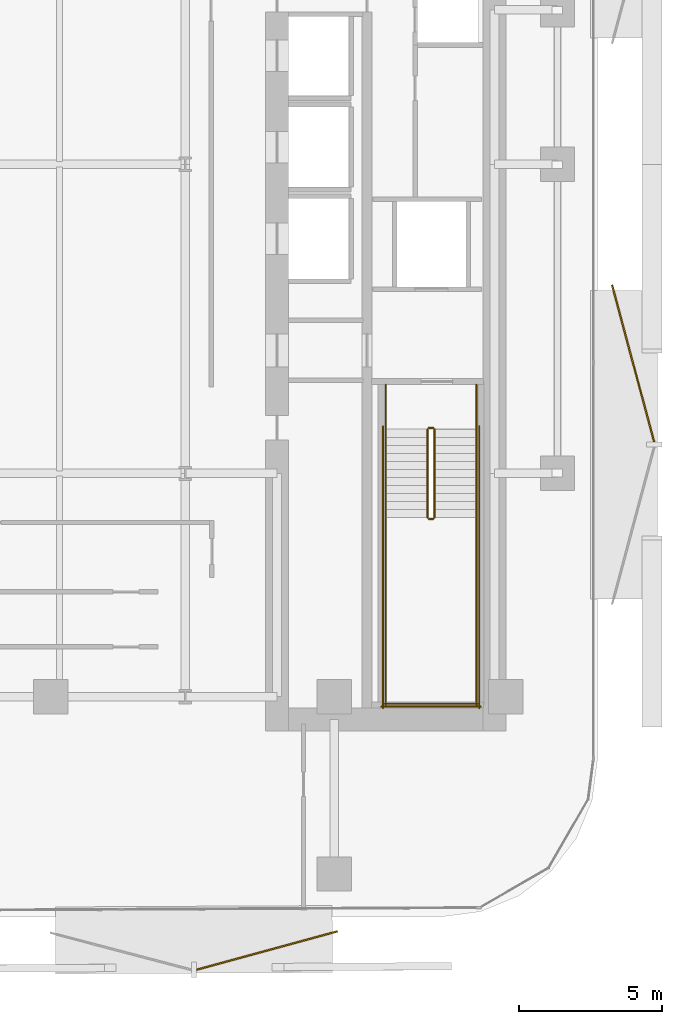
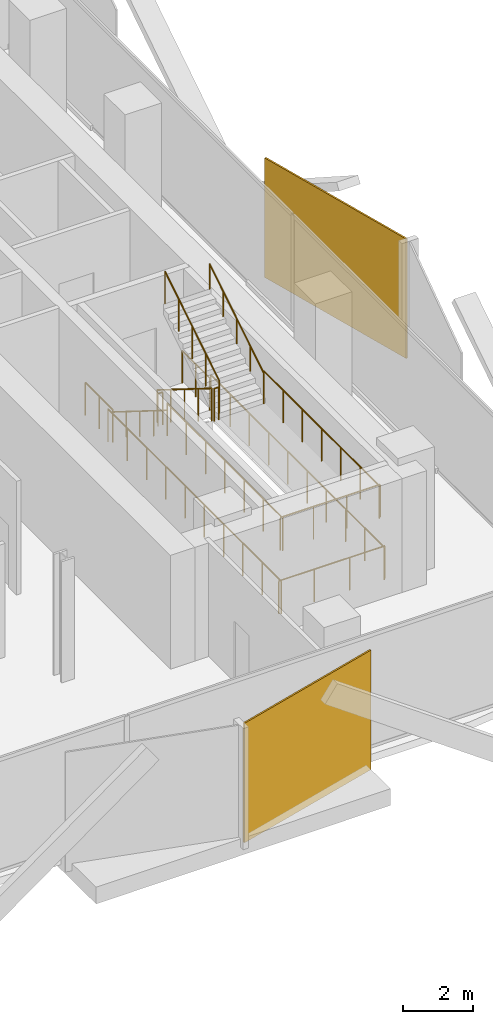
# One storey, part 13 of 15: 14 railings, 2 coverings.
"""IFC4 building model written with IfcOpenShell, lengths in metres."""

from ifc_helpers import new_model, si_unit, direction, frame, origin, origin_2d, place, context, subcontext, project, spatial, rectangle, circle, extrude, material, layer, layer_set, type_object, element, save


model = new_model("IFC4")

# Units and contexts
model_context = context("Model", 3, precision=1e-05, world=origin(), true_north=direction((0.0, 1.0)))
body_context = subcontext(model_context, "Body", "Model", "MODEL_VIEW")
ifc_project = project(units=[si_unit("LENGTHUNIT", "METRE"), si_unit("AREAUNIT", "SQUARE_METRE"), si_unit("VOLUMEUNIT", "CUBIC_METRE"), si_unit("PLANEANGLEUNIT", "RADIAN"), si_unit("MASSUNIT", "GRAM", prefix="KILO")], contexts=[model_context])

# Site, building, storey
site_placement = place(None, origin())
site = spatial("IfcSite", under=ifc_project, at=site_placement, CompositionType="ELEMENT")
building_placement = place(site_placement, origin())
building = spatial("IfcBuilding", under=site, at=building_placement, Name="Khairoan Windgate Tower", CompositionType="ELEMENT")
storey_placement = place(building_placement, frame((0.0, 0.0, 118.39990234375)))
storey = spatial("IfcBuildingStorey", under=building, at=storey_placement, Name="L27", CompositionType="ELEMENT", Elevation=118.39990234375)

# Coverings
ifc_material_1 = material(Name="Anodised Bronze Aluminium 6063-T6", Category="aluminium")
ifc_layer = layer(ifc_material_1, 0.054931640625, Name="Anodised Bronze Aluminium 6063-T6")
ifc_layer_set = layer_set([ifc_layer], Name="Anodised Bronze Aluminium 6063-T6")
covering_type = type_object("IfcCoveringType", Name="Perforated Bronze-Ceramic Folded Solar Screen Cladding BSC-1", PredefinedType="CLADDING", material=ifc_layer_set)
covering_1_placement = place(storey_placement, frame((12.05322265625, -27.472412109375, -0.099609375), z_axis=(0.0, 0.0, 1.0), x_axis=(-0.964649468762, -0.263536339841, 0.0)))
element("IfcCovering", 1, at=covering_1_placement, inside=storey, type_object=covering_type, Name="L27 Folded Bronze Solar Screen Facet 161L", PredefinedType="CLADDING", context=body_context, shape_type="SweptSolid", body=[
    extrude(rectangle(XDim=5.10107421875, YDim=0.054931640625, at=origin_2d()), origin(), (0.0, 0.0, 1.0), 4.139892578125),
])
covering_2_placement = place(storey_placement, frame((24.8447265625, -6.961669921875, -0.099609375), z_axis=(0.0, 0.0, 1.0), x_axis=(0.258819045103, -0.965925826289, 0.0)))
element("IfcCovering", 2, at=covering_2_placement, inside=storey, type_object=covering_type, Name="L27 Folded Bronze Solar Screen Facet 168L", PredefinedType="CLADDING", context=body_context, shape_type="SweptSolid", body=[
    extrude(rectangle(XDim=5.680908203125, YDim=0.054931640625, at=origin_2d()), origin(), (0.0, 0.0, 1.0), 4.139892578125),
])

# Railings
ifc_material_2 = material(Name="Anodised Bronze Aluminium 6063-T6", Category="aluminium")
railing_type_1 = type_object("IfcRailingType", Name="Stair Wall Handrail SHR-900", PredefinedType="HANDRAIL", material=ifc_material_2)
railing_1_placement = place(storey_placement, frame((16.199951171875, -9.260009765625, 0.175048828125)))
element("IfcRailing", 3, at=railing_1_placement, inside=storey, type_object=railing_type_1, Name="L27 ST1 stair handrail 1", PredefinedType="HANDRAIL", context=body_context, shape_type="SweptSolid", body=[
    extrude(circle(Radius=0.02392578125, at=origin_2d()), frame((0.0, 0.0, 0.8759765625), z_axis=(0.0, -0.847998304005, 0.529998940003), x_axis=(1.0, 0.0, 0.0)), (0.0, 0.0, 1.0), 3.632080078125),
    extrude(circle(Radius=0.02099609375, at=origin_2d()), origin(), (0.0, 0.0, 1.0), 0.851806640625),
    extrude(circle(Radius=0.02099609375, at=origin_2d()), frame((0.0, -0.77001953125, 0.481201171875)), (0.0, 0.0, 1.0), 0.851806640625),
    extrude(circle(Radius=0.02099609375, at=origin_2d()), frame((0.0, -1.5400390625, 0.96240234375)), (0.0, 0.0, 1.0), 0.851806640625),
    extrude(circle(Radius=0.02099609375, at=origin_2d()), frame((0.0, -2.31005859375, 1.44384765625)), (0.0, 0.0, 1.0), 0.851806640625),
    extrude(circle(Radius=0.02099609375, at=origin_2d()), frame((0.0, -3.080078125, 1.925048828125)), (0.0, 0.0, 1.0), 0.851806640625),
])
railing_2_placement = place(storey_placement, frame((19.3701171875, -12.340087890625, 2.275146484375)))
element("IfcRailing", 4, at=railing_2_placement, inside=storey, type_object=railing_type_1, Name="L27 ST1 stair handrail 2", PredefinedType="HANDRAIL", context=body_context, shape_type="SweptSolid", body=[
    extrude(circle(Radius=0.02392578125, at=origin_2d()), frame((0.0, 0.0, 0.8759765625), z_axis=(0.0, 0.847998304005, 0.529998940003), x_axis=(-1.0, 0.0, 0.0)), (0.0, 0.0, 1.0), 3.632080078125),
    extrude(circle(Radius=0.02099609375, at=origin_2d()), origin(), (0.0, 0.0, 1.0), 0.851806640625),
    extrude(circle(Radius=0.02099609375, at=origin_2d()), frame((0.0, 0.77001953125, 0.481201171875)), (0.0, 0.0, 1.0), 0.851806640625),
    extrude(circle(Radius=0.02099609375, at=origin_2d()), frame((0.0, 1.5400390625, 0.96240234375)), (0.0, 0.0, 1.0), 0.851806640625),
    extrude(circle(Radius=0.02099609375, at=origin_2d()), frame((0.0, 2.31005859375, 1.44384765625)), (0.0, 0.0, 1.0), 0.851806640625),
    extrude(circle(Radius=0.02099609375, at=origin_2d()), frame((0.0, 3.080078125, 1.925048828125)), (0.0, 0.0, 1.0), 0.851806640625),
])
ifc_material_3 = material(Name="Steel S355", Category="steel")
railing_type_2 = type_object("IfcRailingType", Name="Stairwell Safety Guardrail SGR-1150", PredefinedType="GUARDRAIL", material=ifc_material_3)
railing_3_placement = place(storey_placement, frame((17.659912109375, -9.260009765625, 0.175048828125)))
element("IfcRailing", 5, at=railing_3_placement, inside=storey, type_object=railing_type_2, Name="L27 ST1 stair guard 1", PredefinedType="GUARDRAIL", context=body_context, shape_type="SweptSolid", body=[
    extrude(circle(Radius=0.02392578125, at=origin_2d()), frame((0.0, 0.0, 1.1259765625), z_axis=(0.0, -0.847998304005, 0.529998940003), x_axis=(1.0, 0.0, 0.0)), (0.0, 0.0, 1.0), 3.632080078125),
    extrude(circle(Radius=0.02099609375, at=origin_2d()), origin(), (0.0, 0.0, 1.0), 1.101806640625),
    extrude(circle(Radius=0.02099609375, at=origin_2d()), frame((0.0, -0.77001953125, 0.481201171875)), (0.0, 0.0, 1.0), 1.101806640625),
    extrude(circle(Radius=0.02099609375, at=origin_2d()), frame((0.0, -1.5400390625, 0.96240234375)), (0.0, 0.0, 1.0), 1.101806640625),
    extrude(circle(Radius=0.02099609375, at=origin_2d()), frame((0.0, -2.31005859375, 1.44384765625)), (0.0, 0.0, 1.0), 1.101806640625),
    extrude(circle(Radius=0.02099609375, at=origin_2d()), frame((0.0, -3.080078125, 1.925048828125)), (0.0, 0.0, 1.0), 1.101806640625),
])
railing_4_placement = place(storey_placement, frame((17.7099609375, -12.389892578125, 2.10009765625)))
element("IfcRailing", 6, at=railing_4_placement, inside=storey, type_object=railing_type_2, Name="L27 ST1 stair guard 2", PredefinedType="GUARDRAIL", context=body_context, shape_type="SweptSolid", body=[
    extrude(circle(Radius=0.02392578125, at=origin_2d()), frame((0.0, 0.0, 1.1259765625), z_axis=(1.0, 0.0, 0.0), x_axis=(0.0, 1.0, 0.0)), (0.0, 0.0, 1.0), 0.150146484375),
    extrude(circle(Radius=0.02099609375, at=origin_2d()), origin(), (0.0, 0.0, 1.0), 1.101806640625),
    extrude(circle(Radius=0.02099609375, at=origin_2d()), frame((0.150146484375, 0.0, 0.0)), (0.0, 0.0, 1.0), 1.101806640625),
])
for number, where, name in (
    (7, (16.199951171875, -12.340087890625, 2.10009765625), "L27 ST1 stair guard 3"),
    (8, (19.3701171875, -12.340087890625, 2.10009765625), "L27 ST1 stair guard 4"),
):
    element("IfcRailing", number, at=place(storey_placement, frame(where)), inside=storey, type_object=railing_type_2, Name=name, PredefinedType="GUARDRAIL", context=body_context, shape_type="SweptSolid", body=[
        extrude(circle(Radius=0.02392578125, at=origin_2d()), frame((0.0, 0.0, 1.1259765625), z_axis=(0.0, -1.0, 0.0), x_axis=(1.0, 0.0, 0.0)), (0.0, 0.0, 1.0), 6.559814453125),
        extrude(circle(Radius=0.02099609375, at=origin_2d()), origin(), (0.0, 0.0, 1.0), 1.101806640625),
        extrude(circle(Radius=0.02099609375, at=origin_2d()), frame((0.0, -1.09326171875, 0.0)), (0.0, 0.0, 1.0), 1.101806640625),
        extrude(circle(Radius=0.02099609375, at=origin_2d()), frame((0.0, -2.1865234375, 0.0)), (0.0, 0.0, 1.0), 1.101806640625),
        extrude(circle(Radius=0.02099609375, at=origin_2d()), frame((0.0, -3.27978515625, 0.0)), (0.0, 0.0, 1.0), 1.101806640625),
        extrude(circle(Radius=0.02099609375, at=origin_2d()), frame((0.0, -4.373291015625, 0.0)), (0.0, 0.0, 1.0), 1.101806640625),
        extrude(circle(Radius=0.02099609375, at=origin_2d()), frame((0.0, -5.466552734375, 0.0)), (0.0, 0.0, 1.0), 1.101806640625),
        extrude(circle(Radius=0.02099609375, at=origin_2d()), frame((0.0, -6.559814453125, 0.0)), (0.0, 0.0, 1.0), 1.101806640625),
    ])
railing_5_placement = place(storey_placement, frame((16.14990234375, -18.85009765625, 2.10009765625)))
element("IfcRailing", 9, at=railing_5_placement, inside=storey, type_object=railing_type_2, Name="L27 ST1 stair guard 5", PredefinedType="GUARDRAIL", context=body_context, shape_type="SweptSolid", body=[
    extrude(circle(Radius=0.02392578125, at=origin_2d()), frame((0.0, 0.0, 1.1259765625), z_axis=(1.0, 0.0, 0.0), x_axis=(0.0, 1.0, 0.0)), (0.0, 0.0, 1.0), 3.27001953125),
    extrude(circle(Radius=0.02099609375, at=origin_2d()), origin(), (0.0, 0.0, 1.0), 1.101806640625),
    extrude(circle(Radius=0.02099609375, at=origin_2d()), frame((1.090087890625, 0.0, 0.0)), (0.0, 0.0, 1.0), 1.101806640625),
    extrude(circle(Radius=0.02099609375, at=origin_2d()), frame((2.179931640625, 0.0, 0.0)), (0.0, 0.0, 1.0), 1.101806640625),
    extrude(circle(Radius=0.02099609375, at=origin_2d()), frame((3.27001953125, 0.0, 0.0)), (0.0, 0.0, 1.0), 1.101806640625),
])
railing_6_placement = place(storey_placement, frame((17.909912109375, -12.340087890625, 2.275146484375)))
element("IfcRailing", 10, at=railing_6_placement, inside=storey, type_object=railing_type_2, Name="L27 ST1 stair guard 6", PredefinedType="GUARDRAIL", context=body_context, shape_type="SweptSolid", body=[
    extrude(circle(Radius=0.02392578125, at=origin_2d()), frame((0.0, 0.0, 1.1259765625), z_axis=(0.0, 0.847998304005, 0.529998940003), x_axis=(-1.0, 0.0, 0.0)), (0.0, 0.0, 1.0), 3.632080078125),
    extrude(circle(Radius=0.02099609375, at=origin_2d()), origin(), (0.0, 0.0, 1.0), 1.101806640625),
    extrude(circle(Radius=0.02099609375, at=origin_2d()), frame((0.0, 0.77001953125, 0.481201171875)), (0.0, 0.0, 1.0), 1.101806640625),
    extrude(circle(Radius=0.02099609375, at=origin_2d()), frame((0.0, 1.5400390625, 0.96240234375)), (0.0, 0.0, 1.0), 1.101806640625),
    extrude(circle(Radius=0.02099609375, at=origin_2d()), frame((0.0, 2.31005859375, 1.44384765625)), (0.0, 0.0, 1.0), 1.101806640625),
    extrude(circle(Radius=0.02099609375, at=origin_2d()), frame((0.0, 3.080078125, 1.925048828125)), (0.0, 0.0, 1.0), 1.101806640625),
])
railing_7_placement = place(storey_placement, frame((17.7099609375, -9.2099609375, 0.0)))
element("IfcRailing", 11, at=railing_7_placement, inside=storey, type_object=railing_type_2, Name="L27 ST1 stair guard 7", PredefinedType="GUARDRAIL", context=body_context, shape_type="SweptSolid", body=[
    extrude(circle(Radius=0.02392578125, at=origin_2d()), frame((0.0, 0.0, 1.1259765625), z_axis=(1.0, 0.0, 0.0), x_axis=(0.0, 1.0, 0.0)), (0.0, 0.0, 1.0), 0.150146484375),
    extrude(circle(Radius=0.02099609375, at=origin_2d()), origin(), (0.0, 0.0, 1.0), 1.101806640625),
    extrude(circle(Radius=0.02099609375, at=origin_2d()), frame((0.150146484375, 0.0, 0.0)), (0.0, 0.0, 1.0), 1.101806640625),
])
for number, where, name in (
    (12, (16.199951171875, -7.699951171875, 0.0), "L27 ST1 stair guard 8"),
    (13, (19.3701171875, -7.699951171875, 0.0), "L27 ST1 stair guard 9"),
):
    element("IfcRailing", number, at=place(storey_placement, frame(where)), inside=storey, type_object=railing_type_2, Name=name, PredefinedType="GUARDRAIL", context=body_context, shape_type="SweptSolid", body=[
        extrude(circle(Radius=0.02392578125, at=origin_2d()), frame((0.0, 0.0, 1.1259765625), z_axis=(0.0, -1.0, 0.0), x_axis=(1.0, 0.0, 0.0)), (0.0, 0.0, 1.0), 1.56005859375),
        extrude(circle(Radius=0.02099609375, at=origin_2d()), origin(), (0.0, 0.0, 1.0), 1.101806640625),
        extrude(circle(Radius=0.02099609375, at=origin_2d()), frame((0.0, -0.780029296875, 0.0)), (0.0, 0.0, 1.0), 1.101806640625),
        extrude(circle(Radius=0.02099609375, at=origin_2d()), frame((0.0, -1.56005859375, 0.0)), (0.0, 0.0, 1.0), 1.101806640625),
    ])
for number, where, name in (
    (14, (16.10009765625, -9.159912109375, 0.0), "L27 ST1 stair guard 10"),
    (15, (19.469970703125, -9.159912109375, 0.0), "L27 ST1 stair guard 11"),
):
    element("IfcRailing", number, at=place(storey_placement, frame(where)), inside=storey, type_object=railing_type_2, Name=name, PredefinedType="GUARDRAIL", context=body_context, shape_type="SweptSolid", body=[
        extrude(circle(Radius=0.02392578125, at=origin_2d()), frame((0.0, 0.0, 1.1259765625), z_axis=(0.0, -1.0, 0.0), x_axis=(1.0, 0.0, 0.0)), (0.0, 0.0, 1.0), 9.840087890625),
        extrude(circle(Radius=0.02099609375, at=origin_2d()), origin(), (0.0, 0.0, 1.0), 1.101806640625),
        extrude(circle(Radius=0.02099609375, at=origin_2d()), frame((0.0, -1.09326171875, 0.0)), (0.0, 0.0, 1.0), 1.101806640625),
        extrude(circle(Radius=0.02099609375, at=origin_2d()), frame((0.0, -2.186767578125, 0.0)), (0.0, 0.0, 1.0), 1.101806640625),
        extrude(circle(Radius=0.02099609375, at=origin_2d()), frame((0.0, -3.280029296875, 0.0)), (0.0, 0.0, 1.0), 1.101806640625),
        extrude(circle(Radius=0.02099609375, at=origin_2d()), frame((0.0, -4.373291015625, 0.0)), (0.0, 0.0, 1.0), 1.101806640625),
        extrude(circle(Radius=0.02099609375, at=origin_2d()), frame((0.0, -5.466796875, 0.0)), (0.0, 0.0, 1.0), 1.101806640625),
        extrude(circle(Radius=0.02099609375, at=origin_2d()), frame((0.0, -6.56005859375, 0.0)), (0.0, 0.0, 1.0), 1.101806640625),
        extrude(circle(Radius=0.02099609375, at=origin_2d()), frame((0.0, -7.6533203125, 0.0)), (0.0, 0.0, 1.0), 1.101806640625),
        extrude(circle(Radius=0.02099609375, at=origin_2d()), frame((0.0, -8.746826171875, 0.0)), (0.0, 0.0, 1.0), 1.101806640625),
        extrude(circle(Radius=0.02099609375, at=origin_2d()), frame((0.0, -9.840087890625, 0.0)), (0.0, 0.0, 1.0), 1.101806640625),
    ])
railing_8_placement = place(storey_placement, frame((16.050048828125, -18.949951171875, 0.0)))
element("IfcRailing", 16, at=railing_8_placement, inside=storey, type_object=railing_type_2, Name="L27 ST1 stair guard 12", PredefinedType="GUARDRAIL", context=body_context, shape_type="SweptSolid", body=[
    extrude(circle(Radius=0.02392578125, at=origin_2d()), frame((0.0, 0.0, 1.1259765625), z_axis=(1.0, 0.0, 0.0), x_axis=(0.0, 1.0, 0.0)), (0.0, 0.0, 1.0), 3.469970703125),
    extrude(circle(Radius=0.02099609375, at=origin_2d()), origin(), (0.0, 0.0, 1.0), 1.101806640625),
    extrude(circle(Radius=0.02099609375, at=origin_2d()), frame((1.15673828125, 0.0, 0.0)), (0.0, 0.0, 1.0), 1.101806640625),
    extrude(circle(Radius=0.02099609375, at=origin_2d()), frame((2.313232421875, 0.0, 0.0)), (0.0, 0.0, 1.0), 1.101806640625),
    extrude(circle(Radius=0.02099609375, at=origin_2d()), frame((3.469970703125, 0.0, 0.0)), (0.0, 0.0, 1.0), 1.101806640625),
])

save(model, "model.ifc")
